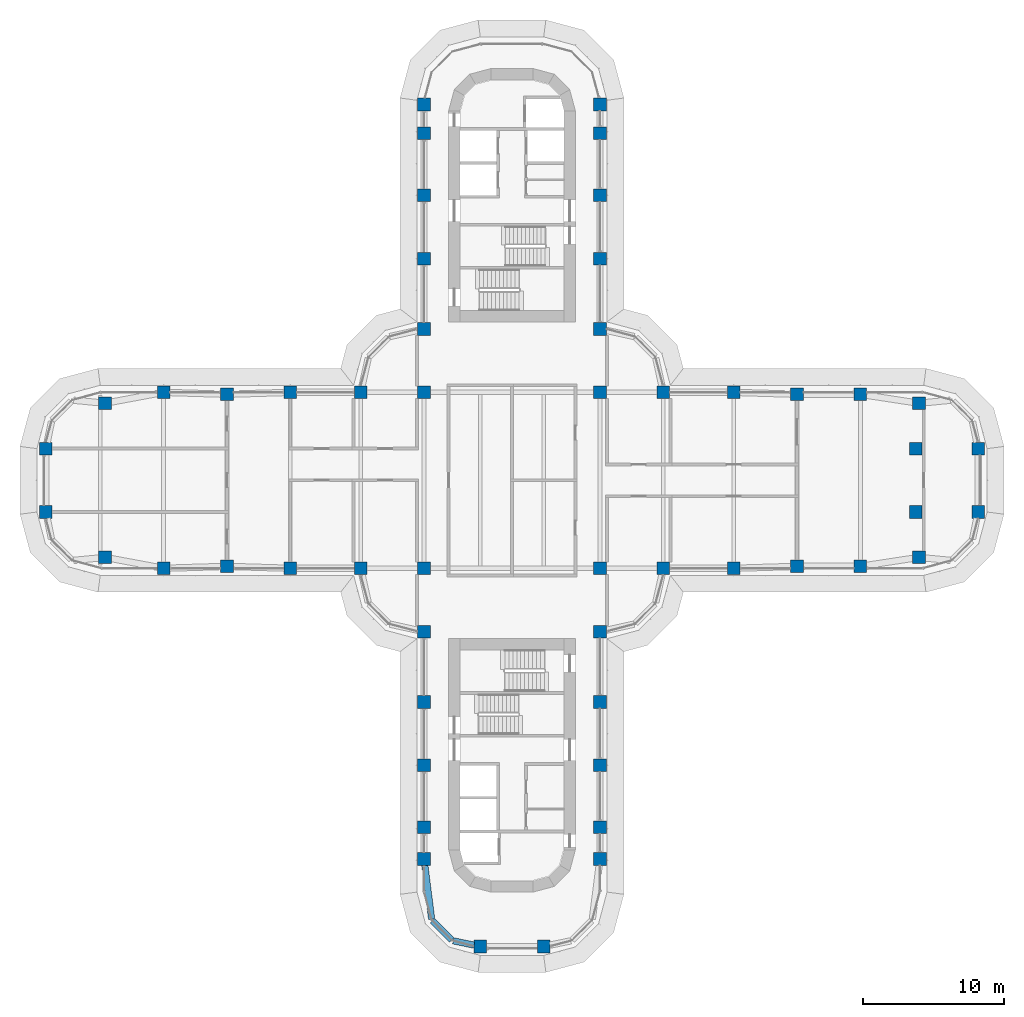
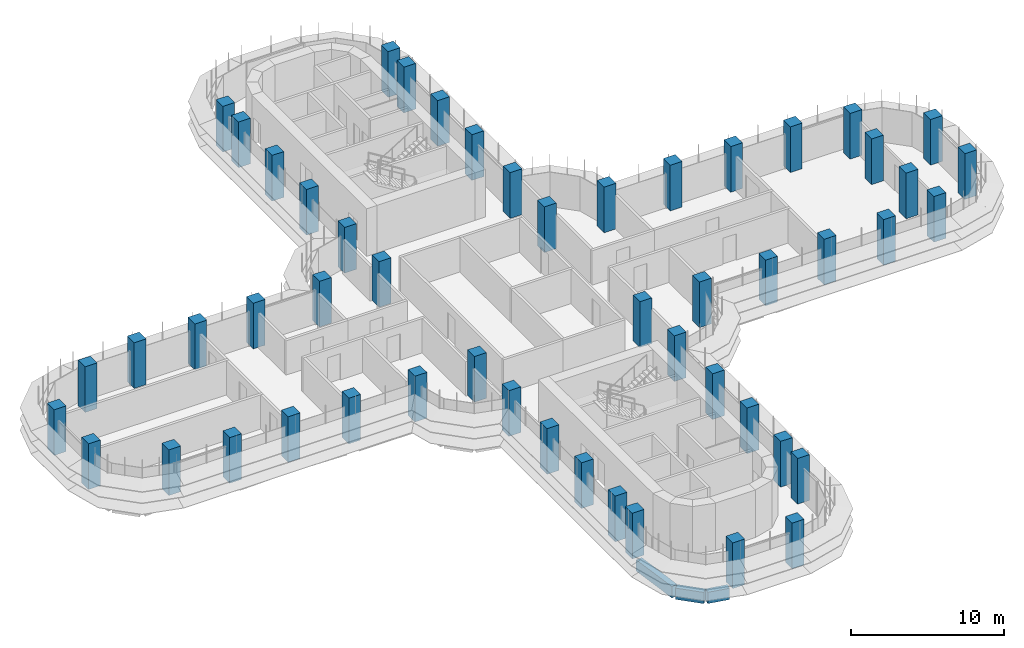
# One storey, part 1 of 22: 52 columns, 3 beams.
"""IFC4 building model written with IfcOpenShell, lengths in metres."""

from ifc_helpers import new_model, si_unit, direction, frame, origin, origin_2d, place, context, subcontext, project, spatial, rectangle, extrude, material, material_profile, profile_set, type_object, element, save


model = new_model("IFC4")

# Units and contexts
model_context = context("Model", 3, precision=1e-05, world=origin(), true_north=direction((0.0, 1.0)))
body_context = subcontext(model_context, "Body", "Model", "MODEL_VIEW")
ifc_project = project(units=[si_unit("LENGTHUNIT", "METRE"), si_unit("AREAUNIT", "SQUARE_METRE"), si_unit("VOLUMEUNIT", "CUBIC_METRE"), si_unit("PLANEANGLEUNIT", "RADIAN"), si_unit("MASSUNIT", "GRAM", prefix="KILO")], contexts=[model_context])

# Site, building, storey
site_placement = place(None, origin())
site = spatial("IfcSite", under=ifc_project, at=site_placement, CompositionType="ELEMENT")
building_placement = place(site_placement, origin())
building = spatial("IfcBuilding", under=site, at=building_placement, Name="Zarbagh Exchange Tower", CompositionType="ELEMENT")
storey_placement = place(building_placement, frame((0.0, 0.0, 98.0)))
storey = spatial("IfcBuildingStorey", under=building, at=storey_placement, Name="L22", CompositionType="ELEMENT", Elevation=98.0)

# Columns
ifc_material = material(Name="Concrete C60/75", Category="concrete")
ifc_material_profile_1 = material_profile(ifc_material, rectangle(XDim=0.89990234375, YDim=0.89990234375, at=origin_2d()), Name="RC column 900 x 900 C60/75")
ifc_profile_set_1 = profile_set([ifc_material_profile_1], Name="Concrete C60/75")
column_type = type_object("IfcColumnType", Name="RC column 900 x 900 C60/75", PredefinedType="COLUMN", material=ifc_profile_set_1)
for number, where, z_axis, x_axis, name in (
    (1, (-33.110107421875, -2.25, 0.0), (0.0, 0.0, 1.0), (1.0, 0.0, 0.0), "C3 10/S"),
    (2, (-33.110107421875, 2.25, 0.0), (0.0, 0.0, 1.0), (1.0, 0.0, 0.0), "C3 10/T"),
    (3, (-28.907958984375, -5.47509765625, 0.0), (0.0, 0.0, 1.0), (1.0, 0.0, 0.0), "C3 11/R"),
    (4, (-28.907958984375, 5.47509765625, 0.0), (0.0, 0.0, 1.0), (1.0, 0.0, 0.0), "C3 11/U"),
    (5, (-24.75, -6.25, 0.0), (0.0, 0.0, 1.0), (1.0, 0.0, 0.0), "C3 12/R"),
    (6, (-24.75, 6.25, 0.0), (0.0, 0.0, 1.0), (1.0, 0.0, 0.0), "C3 12/U"),
    (7, (-20.25, -6.110107421875, 0.0), (0.0, 0.0, 1.0), (1.0, 0.0, 0.0), "C3 13/R"),
    (8, (-20.25, 6.110107421875, 0.0), (0.0, 0.0, 1.0), (1.0, 0.0, 0.0), "C3 13/U"),
    (9, (-15.75, -6.25, 0.0), (0.0, 0.0, 1.0), (1.0, 0.0, 0.0), "C3 14/R"),
    (10, (-15.75, 6.25, 0.0), (0.0, 0.0, 1.0), (1.0, 0.0, 0.0), "C3 14/U"),
    (11, (-10.75, -6.25, 0.0), (0.0, 0.0, 1.0), (1.0, 0.0, 0.0), "C3 15/R"),
    (12, (-10.75, 6.25, 0.0), (0.0, 0.0, 1.0), (1.0, 0.0, 0.0), "C3 15/U"),
    (13, (-6.25, -26.89990234375, 0.0), (0.0, 0.0, 1.0), (1.0, 0.0, 0.0), "C3 16/L"),
    (14, (-6.25, -24.64990234375, 0.0), (0.0, 0.0, 1.0), (1.0, 0.0, 0.0), "C3 16/M"),
    (15, (-6.25, -20.25, 0.0), (0.0, 0.0, 1.0), (1.0, 0.0, 0.0), "C3 16/N"),
    (16, (-6.25, -15.75, 0.0), (0.0, 0.0, 1.0), (1.0, 0.0, 0.0), "C3 16/P"),
    (17, (-6.25, -10.75, 0.0), (0.0, 0.0, 1.0), (1.0, 0.0, 0.0), "C3 16/Q"),
    (18, (-6.25, -6.25, 0.0), (0.0, 0.0, 1.0), (1.0, 0.0, 0.0), "C3 16/R"),
    (19, (-6.25, 6.25, 0.0), (0.0, 0.0, 1.0), (1.0, 0.0, 0.0), "C3 16/U"),
    (20, (-6.25, 10.75, 0.0), (0.0, 0.0, 1.0), (1.0, 0.0, 0.0), "C3 16/V"),
    (21, (-6.25, 15.75, 0.0), (0.0, 0.0, 1.0), (1.0, 0.0, 0.0), "C3 16/W"),
    (22, (-6.25, 20.25, 0.0), (0.0, 0.0, 1.0), (1.0, 0.0, 0.0), "C3 16/X"),
    (23, (-6.25, 24.64990234375, 0.0), (0.0, 0.0, 1.0), (1.0, 0.0, 0.0), "C3 16/Y"),
    (24, (-6.25, 26.699951171875, 0.0), (0.0, 0.0, 1.0), (1.0, 0.0, 0.0), "C3 16/Z"),
    (25, (-2.25, -33.110107421875, 0.0), (0.0, 0.0, 1.0), (1.0, 0.0, 0.0), "C3 17/K"),
    (26, (2.25, -33.110107421875, 0.0), (0.0, 0.0, 1.0), (1.0, 0.0, 0.0), "C3 18/K"),
    (27, (6.25, -26.89990234375, 0.0), (0.0, 0.0, 1.0), (1.0, 0.0, 0.0), "C3 19/L"),
    (28, (6.25, -24.64990234375, 0.0), (0.0, 0.0, 1.0), (1.0, 0.0, 0.0), "C3 19/M"),
    (29, (6.25, -20.25, 0.0), (0.0, 0.0, 1.0), (1.0, 0.0, 0.0), "C3 19/N"),
    (30, (6.25, -15.75, 0.0), (0.0, 0.0, 1.0), (1.0, 0.0, 0.0), "C3 19/P"),
    (31, (6.25, -10.75, 0.0), (0.0, 0.0, 1.0), (1.0, 0.0, 0.0), "C3 19/Q"),
    (32, (6.25, -6.25, 0.0), (0.0, 0.0, 1.0), (1.0, 0.0, 0.0), "C3 19/R"),
    (33, (6.25, 6.25, 0.0), (0.0, 0.0, 1.0), (1.0, 0.0, 0.0), "C3 19/U"),
    (34, (6.25, 10.75, 0.0), (0.0, 0.0, 1.0), (1.0, 0.0, 0.0), "C3 19/V"),
    (35, (6.25, 15.75, 0.0), (0.0, 0.0, 1.0), (1.0, 0.0, 0.0), "C3 19/W"),
    (36, (6.25, 20.25, 0.0), (0.0, 0.0, 1.0), (1.0, 0.0, 0.0), "C3 19/X"),
    (37, (6.25, 24.64990234375, 0.0), (0.0, 0.0, 1.0), (1.0, 0.0, 0.0), "C3 19/Y"),
    (38, (6.25, 26.699951171875, 0.0), (0.0, 0.0, 1.0), (1.0, 0.0, 0.0), "C3 19/Z"),
    (39, (10.75, -6.25, 0.0), (0.0, 0.0, 1.0), (1.0, 0.0, 0.0), "C3 20/R"),
    (40, (10.75, 6.25, 0.0), (0.0, 0.0, 1.0), (1.0, 0.0, 0.0), "C3 20/U"),
    (41, (15.75, -6.25, 0.0), (0.0, 0.0, 1.0), (1.0, 0.0, 0.0), "C3 21/R"),
    (42, (15.75, 6.25, 0.0), (0.0, 0.0, 1.0), (1.0, 0.0, 0.0), "C3 21/U"),
    (43, (20.25, -6.110107421875, 0.0), (0.0, 0.0, 1.0), (1.0, 0.0, 0.0), "C3 22/R"),
    (44, (20.25, 6.110107421875, 0.0), (0.0, 0.0, 1.0), (1.0, 0.0, 0.0), "C3 22/U"),
    (45, (24.75, -6.110107421875, 0.0), (0.0, 0.0, 1.0), (1.0, 0.0, 0.0), "C3 23/R"),
    (46, (24.75, 6.110107421875, 0.0), (0.0, 0.0, 1.0), (1.0, 0.0, 0.0), "C3 23/U"),
    (47, (28.907958984375, -5.47509765625, 0.0), (0.0, 0.0, 1.0), (1.0, 0.0, 0.0), "C3 24/R"),
    (48, (28.669921875, -2.25, 0.0), (0.0, 0.0, 1.0), (1.0, 0.0, 0.0), "C3 24/S"),
    (49, (28.669921875, 2.25, 0.0), (0.0, 0.0, 1.0), (1.0, 0.0, 0.0), "C3 24/T"),
    (50, (28.907958984375, 5.47509765625, 0.0), (0.0, 0.0, 1.0), (1.0, 0.0, 0.0), "C3 24/U"),
    (51, (33.110107421875, -2.25, 0.0), (0.0, 0.0, 1.0), (1.0, 0.0, 0.0), "C3 25/S"),
    (52, (33.110107421875, 2.25, 0.0), (0.0, 0.0, 1.0), (1.0, 0.0, 0.0), "C3 25/T"),
):
    element("IfcColumn", number, at=place(storey_placement, frame(where, z_axis=z_axis, x_axis=x_axis)), inside=storey, type_object=column_type, Name=name, PredefinedType="COLUMN", context=body_context, shape_type="SweptSolid", body=[
        extrude(rectangle(XDim=0.89990234375, YDim=0.89990234375, at=origin_2d()), origin(), (0.0, 0.0, 1.0), 3.64990234375),
    ])

# Beams
ifc_material_profile_2 = material_profile(ifc_material, rectangle(XDim=0.449951171875, YDim=0.89990234375, at=origin_2d()), Name="RC spandrel beam 450 x 900 C60/75")
ifc_profile_set_2 = profile_set([ifc_material_profile_2], Name="Concrete C60/75")
beam_type = type_object("IfcBeamType", Name="RC spandrel beam 450 x 900 C60/75", PredefinedType="SPANDREL", material=ifc_profile_set_2)
beam_1_placement = place(storey_placement, frame((-2.690673828125, -33.01904296875, -0.60009765625), z_axis=(-0.979328675816, 0.202275417995, 0.0), x_axis=(-0.202275417995, -0.979328675816, 0.0)))
element("IfcBeam", 53, at=beam_1_placement, inside=storey, type_object=beam_type, Name="RC spandrel beam", PredefinedType="SPANDREL", context=body_context, shape_type="SweptSolid", body=[
    extrude(rectangle(XDim=0.449951171875, YDim=0.89990234375, at=origin_2d()), origin(), (0.0, 0.0, 1.0), 1.515869140625),
])
beam_2_placement = place(storey_placement, frame((-4.288818359375, -32.651123046875, -0.60009765625), z_axis=(-0.707106781187, 0.707106781187, 0.0), x_axis=(-0.707106781187, -0.707106781187, 0.0)))
element("IfcBeam", 54, at=beam_2_placement, inside=storey, type_object=beam_type, Name="RC spandrel beam", PredefinedType="SPANDREL", context=body_context, shape_type="SweptSolid", body=[
    extrude(rectangle(XDim=0.449951171875, YDim=0.89990234375, at=origin_2d()), origin(), (0.0, 0.0, 1.0), 1.9169921875),
])
beam_3_placement = place(storey_placement, frame((-5.70849609375, -31.164794921875, -0.60009765625), z_axis=(-0.12597055537, 0.992033980859, 0.0), x_axis=(-0.992033980859, -0.12597055537, 0.0)))
element("IfcBeam", 55, at=beam_3_placement, inside=storey, type_object=beam_type, Name="RC spandrel beam", PredefinedType="SPANDREL", context=body_context, shape_type="SweptSolid", body=[
    extrude(rectangle(XDim=0.449951171875, YDim=0.89990234375, at=origin_2d()), origin(), (0.0, 0.0, 1.0), 3.84912109375),
])

save(model, "model.ifc")
